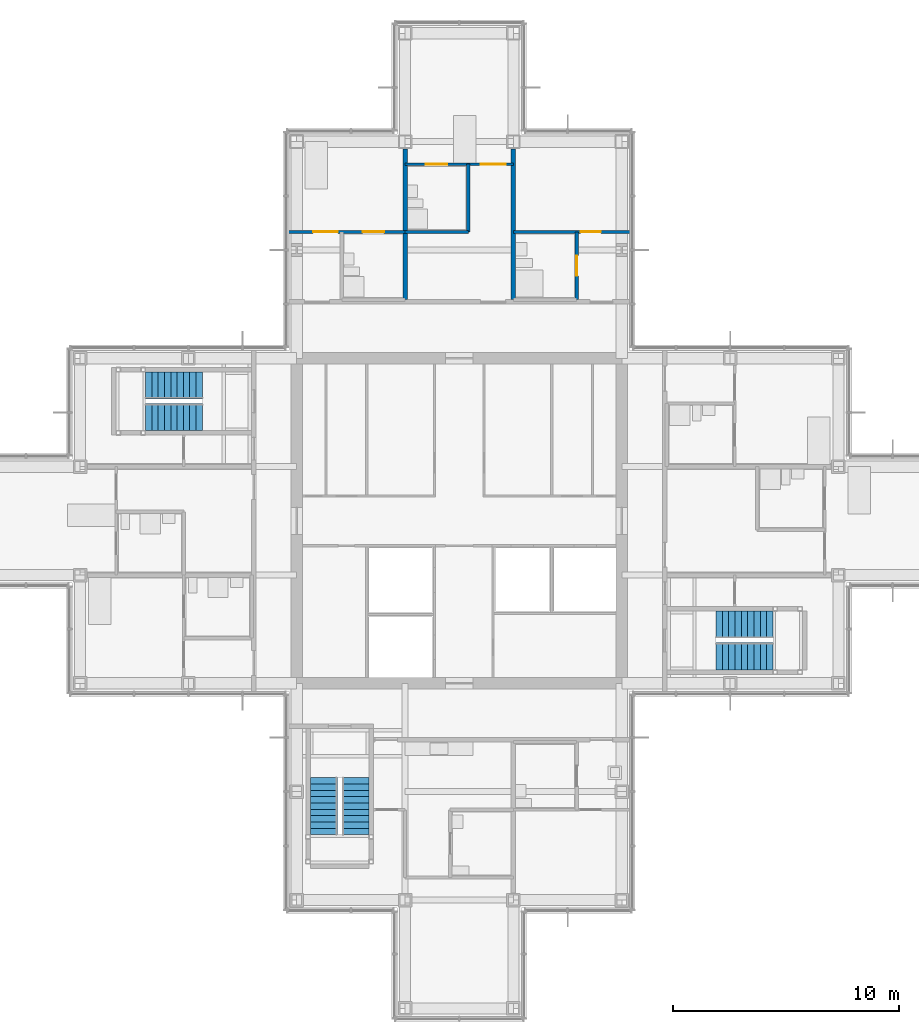
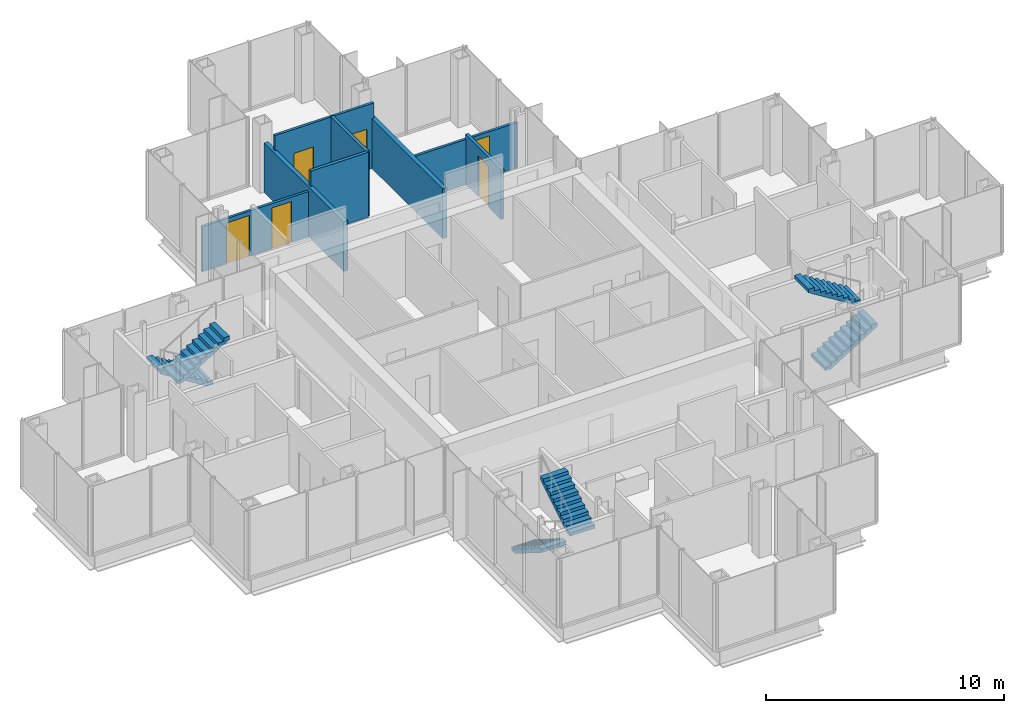
# One storey, part 14 of 17: 8 walls, 6 doors, 6 stair flights, 6 openings, 3 elements without a shape of their own.
"""IFC4 building model written with IfcOpenShell, lengths in metres."""

from ifc_helpers import new_model, si_unit, direction, frame, frame_2d, origin, place, context, subcontext, project, spatial, polyline, rectangle, outline, extrude, material, layer, layer_set, type_object, element, fill, aggregate, save


model = new_model("IFC4")

# Units and contexts
model_context = context("Model", 3, precision=1e-05, world=origin(), true_north=direction((0.0, 1.0)))
body_context = subcontext(model_context, "Body", "Model", "MODEL_VIEW")
ifc_project = project(units=[si_unit("LENGTHUNIT", "METRE"), si_unit("AREAUNIT", "SQUARE_METRE"), si_unit("VOLUMEUNIT", "CUBIC_METRE"), si_unit("PLANEANGLEUNIT", "RADIAN"), si_unit("MASSUNIT", "GRAM", prefix="KILO")], contexts=[model_context])

# Site, building, storey
site_placement = place(None, origin())
site = spatial("IfcSite", under=ifc_project, at=site_placement, CompositionType="ELEMENT")
building_placement = place(site_placement, origin())
building = spatial("IfcBuilding", under=site, at=building_placement, Name="Kvirike Care Tower", CompositionType="ELEMENT")
storey_placement = place(building_placement, frame((0.0, 0.0, 148.0)))
storey = spatial("IfcBuildingStorey", under=building, at=storey_placement, Name="L40", CompositionType="ELEMENT", Elevation=148.0)

# Wall, opening, door
ifc_material_1 = material(Name="Moisture-resistant board partition", Category="gypsum")
ifc_layer_1 = layer(ifc_material_1, 0.14990234375)
ifc_layer_set_1 = layer_set([ifc_layer_1], Name="BATHROOM WALL 150")
wall_type_1 = type_object("IfcWallType", Name="BATHROOM WALL 150", PredefinedType="PARTITIONING", material=ifc_layer_set_1)
wall_1_placement = place(storey_placement, frame((26.800048828125, 48.800048828125, 0.0), z_axis=(0.0, 0.0, 1.0), x_axis=(0.0, -1.0, 0.0)))
wall_1 = element("IfcWall", 1, at=wall_1_placement, inside=storey, type_object=wall_type_1, Name="Bathroom Wall 150 L40", PredefinedType="PARTITIONING", context=body_context, shape_type="SweptSolid", body=[
    extrude(rectangle(XDim=3.0, YDim=0.14990234375, at=frame_2d((1.5, 0.0))), origin(), (0.0, 0.0, 1.0), 2.550048828125),
])
opening_1_placement = place(wall_1_placement, frame((1.050048828125, 0.0, 0.0)))
opening_1 = element("IfcOpeningElement", 2, at=opening_1_placement, cuts=wall_1, Name="Opening 40-017", PredefinedType="OPENING", context=body_context, shape_type="SweptSolid", body=[
    extrude(rectangle(XDim=0.89990234375, YDim=2.10009765625, at=frame_2d((0.449951171875, 1.050048828125))), frame((0.0, 0.08544921875, 0.0), z_axis=(0.0, -1.0, 0.0), x_axis=(1.0, 0.0, 0.0)), (0.0, 0.0, 1.0), 0.1708984375),
])
ifc_material_2 = material(Name="Timber door set", Category="wood")
door_type_1 = type_object("IfcDoorType", Name="BATHROOM DOOR 900", OperationType="SINGLE_SWING_RIGHT", PredefinedType="DOOR", material=ifc_material_2)
door_1_placement = place(opening_1_placement, origin())
door_1 = element("IfcDoor", 3, at=door_1_placement, inside=storey, type_object=door_type_1, Name="Assisted bathroom door", OperationType="SINGLE_SWING_LEFT", OverallHeight=2.10009765625, OverallWidth=0.89990234375, PredefinedType="DOOR", context=body_context, shape_type="SweptSolid", body=[
    extrude(rectangle(XDim=0.89990234375, YDim=2.10009765625, at=frame_2d((0.449951171875, 1.050048828125))), frame((0.0, 0.02197265625, 0.0), z_axis=(0.0, -1.0, 0.0), x_axis=(1.0, 0.0, 0.0)), (0.0, 0.0, 1.0), 0.0439453125),
])
fill(opening_1, door_1)

# Walls
wall_2_placement = place(storey_placement, frame((22.0, 51.800048828125, 0.0), z_axis=(0.0, 0.0, 1.0), x_axis=(0.0, -1.0, 0.0)))
element("IfcWall", 4, at=wall_2_placement, inside=storey, type_object=wall_type_1, Name="Bathroom Wall 150 L40", PredefinedType="PARTITIONING", context=body_context, shape_type="SweptSolid", body=[
    extrude(rectangle(XDim=3.0, YDim=0.14990234375, at=frame_2d((1.5, 0.0))), origin(), (0.0, 0.0, 1.0), 3.330078125),
])
wall_3_placement = place(storey_placement, frame((22.0, 48.800048828125, 0.0), z_axis=(0.0, 0.0, 1.0), x_axis=(-1.0, 0.0, 0.0)))
element("IfcWall", 5, at=wall_3_placement, inside=storey, type_object=wall_type_1, Name="Bathroom Wall 150 L40", PredefinedType="PARTITIONING", context=body_context, shape_type="SweptSolid", body=[
    extrude(rectangle(XDim=2.800048828125, YDim=0.14990234375, at=frame_2d((1.39990234375, 0.0))), origin(), (0.0, 0.0, 1.0), 3.330078125),
])

# Wall, opening, door
ifc_material_3 = material(Name="Plasterboard partition", Category="gypsum")
ifc_layer_2 = layer(ifc_material_3, 0.1201171875)
ifc_layer_set_2 = layer_set([ifc_layer_2], Name="PARTITION 120")
wall_type_2 = type_object("IfcWallType", Name="PARTITION 120", PredefinedType="PARTITIONING", material=ifc_layer_set_2)
wall_4_placement = place(storey_placement, frame((29.25, 48.800048828125, 0.0), z_axis=(0.0, 0.0, 1.0), x_axis=(-1.0, 0.0, 0.0)))
wall_4 = element("IfcWall", 6, at=wall_4_placement, inside=storey, type_object=wall_type_2, Name="Partition 120 L40", PredefinedType="PARTITIONING", context=body_context, shape_type="SweptSolid", body=[
    extrude(rectangle(XDim=5.25, YDim=0.1201171875, at=frame_2d((2.625, 0.0))), origin(), (0.0, 0.0, 1.0), 2.320068359375),
])
opening_2_placement = place(wall_4_placement, frame((1.375, 0.0, 0.0)))
opening_2 = element("IfcOpeningElement", 7, at=opening_2_placement, cuts=wall_4, Name="Opening 40-018", PredefinedType="OPENING", context=body_context, shape_type="SweptSolid", body=[
    extrude(rectangle(XDim=0.89990234375, YDim=2.10009765625, at=frame_2d((0.449951171875, 1.050048828125))), frame((0.0, 0.070556640625, 0.0), z_axis=(0.0, -1.0, 0.0), x_axis=(1.0, 0.0, 0.0)), (0.0, 0.0, 1.0), 0.14111328125),
])
ifc_material_4 = material(Name="Timber door set", Category="wood")
door_type_2 = type_object("IfcDoorType", Name="INTERNAL DOOR 900", OperationType="SINGLE_SWING_LEFT", PredefinedType="DOOR", material=ifc_material_4)
door_2_placement = place(opening_2_placement, origin())
door_2 = element("IfcDoor", 8, at=door_2_placement, inside=storey, type_object=door_type_2, Name="Quiet room door", OperationType="SINGLE_SWING_LEFT", OverallHeight=2.10009765625, OverallWidth=0.89990234375, PredefinedType="DOOR", context=body_context, shape_type="SweptSolid", body=[
    extrude(rectangle(XDim=0.89990234375, YDim=2.10009765625, at=frame_2d((0.449951171875, 1.050048828125))), frame((0.0, 0.02197265625, 0.0), z_axis=(0.0, -1.0, 0.0), x_axis=(1.0, 0.0, 0.0)), (0.0, 0.0, 1.0), 0.0439453125),
])
fill(opening_2, door_2)

# Wall, openings, doors
wall_5_placement = place(storey_placement, frame((24.0, 51.800048828125, 0.0), z_axis=(0.0, 0.0, 1.0), x_axis=(-1.0, 0.0, 0.0)))
wall_5 = element("IfcWall", 9, at=wall_5_placement, inside=storey, type_object=wall_type_2, Name="Partition 120 L40", PredefinedType="PARTITIONING", context=body_context, shape_type="SweptSolid", body=[
    extrude(rectangle(XDim=4.800048828125, YDim=0.1201171875, at=frame_2d((2.39990234375, 0.0))), origin(), (0.0, 0.0, 1.0), 3.330078125),
])
opening_3_placement = place(wall_5_placement, frame((0.35009765625, 0.0, 0.0)))
opening_3 = element("IfcOpeningElement", 10, at=opening_3_placement, cuts=wall_5, Name="Opening 40-019", PredefinedType="OPENING", context=body_context, shape_type="SweptSolid", body=[
    extrude(rectangle(XDim=1.10009765625, YDim=2.10009765625, at=frame_2d((0.550048828125, 1.050048828125))), frame((0.0, 0.070556640625, 0.0), z_axis=(0.0, -1.0, 0.0), x_axis=(1.0, 0.0, 0.0)), (0.0, 0.0, 1.0), 0.14111328125),
])
opening_4_placement = place(wall_5_placement, frame((2.925048828125, 0.0, 0.0)))
opening_4 = element("IfcOpeningElement", 11, at=opening_4_placement, cuts=wall_5, Name="Opening 40-020", PredefinedType="OPENING", context=body_context, shape_type="SweptSolid", body=[
    extrude(rectangle(XDim=0.949951171875, YDim=2.10009765625, at=frame_2d((0.47509765625, 1.050048828125))), frame((0.0, 0.070556640625, 0.0), z_axis=(0.0, -1.0, 0.0), x_axis=(1.0, 0.0, 0.0)), (0.0, 0.0, 1.0), 0.14111328125),
])
ifc_material_5 = material(Name="Timber door set", Category="wood")
door_type_3 = type_object("IfcDoorType", Name="BEDROOM DOOR 1100", OperationType="SINGLE_SWING_LEFT", PredefinedType="DOOR", material=ifc_material_5)
door_3_placement = place(opening_3_placement, origin())
door_3 = element("IfcDoor", 12, at=door_3_placement, inside=storey, type_object=door_type_3, Name="Memory care bedroom door", OperationType="SINGLE_SWING_RIGHT", OverallHeight=2.10009765625, OverallWidth=1.10009765625, PredefinedType="DOOR", context=body_context, shape_type="SweptSolid", body=[
    extrude(rectangle(XDim=1.10009765625, YDim=2.10009765625, at=frame_2d((0.550048828125, 1.050048828125))), frame((0.0, 0.02197265625, 0.0), z_axis=(0.0, -1.0, 0.0), x_axis=(1.0, 0.0, 0.0)), (0.0, 0.0, 1.0), 0.0439453125),
])
fill(opening_3, door_3)
ifc_material_6 = material(Name="Timber door set", Category="wood")
door_type_4 = type_object("IfcDoorType", Name="EN-SUITE SLIDING DOOR 950", OperationType="SLIDING_TO_LEFT", PredefinedType="DOOR", material=ifc_material_6)
door_4_placement = place(opening_4_placement, origin())
door_4 = element("IfcDoor", 13, at=door_4_placement, inside=storey, type_object=door_type_4, Name="En-suite door", OperationType="SLIDING_TO_RIGHT", OverallHeight=2.10009765625, OverallWidth=0.949951171875, PredefinedType="DOOR", context=body_context, shape_type="SweptSolid", body=[
    extrude(rectangle(XDim=0.949951171875, YDim=2.10009765625, at=frame_2d((0.47509765625, 1.050048828125))), frame((0.0, 0.02197265625, 0.0), z_axis=(0.0, -1.0, 0.0), x_axis=(1.0, 0.0, 0.0)), (0.0, 0.0, 1.0), 0.0439453125),
])
fill(opening_4, door_4)

wall_6_placement = place(storey_placement, frame((19.199951171875, 48.800048828125, 0.0), z_axis=(0.0, 0.0, 1.0), x_axis=(-1.0, 0.0, 0.0)))
wall_6 = element("IfcWall", 14, at=wall_6_placement, inside=storey, type_object=wall_type_2, Name="Partition 120 L40", PredefinedType="PARTITIONING", context=body_context, shape_type="SweptSolid", body=[
    extrude(rectangle(XDim=5.25, YDim=0.1201171875, at=frame_2d((2.625, 0.0))), origin(), (0.0, 0.0, 1.0), 2.320068359375),
])
opening_5_placement = place(wall_6_placement, frame((2.97509765625, 0.0, 0.0)))
opening_5 = element("IfcOpeningElement", 15, at=opening_5_placement, cuts=wall_6, Name="Opening 40-021", PredefinedType="OPENING", context=body_context, shape_type="SweptSolid", body=[
    extrude(rectangle(XDim=1.10009765625, YDim=2.10009765625, at=frame_2d((0.550048828125, 1.050048828125))), frame((0.0, 0.070556640625, 0.0), z_axis=(0.0, -1.0, 0.0), x_axis=(1.0, 0.0, 0.0)), (0.0, 0.0, 1.0), 0.14111328125),
])
opening_6_placement = place(wall_6_placement, frame((0.925048828125, 0.0, 0.0)))
opening_6 = element("IfcOpeningElement", 16, at=opening_6_placement, cuts=wall_6, Name="Opening 40-022", PredefinedType="OPENING", context=body_context, shape_type="SweptSolid", body=[
    extrude(rectangle(XDim=0.949951171875, YDim=2.10009765625, at=frame_2d((0.47509765625, 1.050048828125))), frame((0.0, 0.070556640625, 0.0), z_axis=(0.0, -1.0, 0.0), x_axis=(1.0, 0.0, 0.0)), (0.0, 0.0, 1.0), 0.14111328125),
])
door_5_placement = place(opening_5_placement, origin())
door_5 = element("IfcDoor", 17, at=door_5_placement, inside=storey, type_object=door_type_3, Name="Memory care bedroom door", OperationType="SINGLE_SWING_RIGHT", OverallHeight=2.10009765625, OverallWidth=1.10009765625, PredefinedType="DOOR", context=body_context, shape_type="SweptSolid", body=[
    extrude(rectangle(XDim=1.10009765625, YDim=2.10009765625, at=frame_2d((0.550048828125, 1.050048828125))), frame((0.0, 0.02197265625, 0.0), z_axis=(0.0, -1.0, 0.0), x_axis=(1.0, 0.0, 0.0)), (0.0, 0.0, 1.0), 0.0439453125),
])
fill(opening_5, door_5)
door_6_placement = place(opening_6_placement, origin())
door_6 = element("IfcDoor", 18, at=door_6_placement, inside=storey, type_object=door_type_4, Name="En-suite door", OperationType="SLIDING_TO_RIGHT", OverallHeight=2.10009765625, OverallWidth=0.949951171875, PredefinedType="DOOR", context=body_context, shape_type="SweptSolid", body=[
    extrude(rectangle(XDim=0.949951171875, YDim=2.10009765625, at=frame_2d((0.47509765625, 1.050048828125))), frame((0.0, 0.02197265625, 0.0), z_axis=(0.0, -1.0, 0.0), x_axis=(1.0, 0.0, 0.0)), (0.0, 0.0, 1.0), 0.0439453125),
])
fill(opening_6, door_6)

# Walls
ifc_material_7 = material(Name="Plasterboard party wall", Category="gypsum")
ifc_layer_3 = layer(ifc_material_7, 0.199951171875)
ifc_layer_set_3 = layer_set([ifc_layer_3], Name="PARTY WALL 200")
wall_type_3 = type_object("IfcWallType", Name="PARTY WALL 200", PredefinedType="PARTITIONING", material=ifc_layer_set_3)
for number, where, z_axis, x_axis, name in (
    (19, (24.0, 52.47998046875, 0.0), (0.0, 0.0, 1.0), (0.0, -1.0, 0.0), "Party Wall 200 L40"),
    (20, (19.199951171875, 52.47998046875, 0.0), (0.0, 0.0, 1.0), (0.0, -1.0, 0.0), "Party Wall 200 L40"),
):
    element("IfcWall", number, at=place(storey_placement, frame(where, z_axis=z_axis, x_axis=x_axis)), inside=storey, type_object=wall_type_3, Name=name, PredefinedType="PARTITIONING", context=body_context, shape_type="SweptSolid", body=[
        extrude(rectangle(XDim=6.679931640625, YDim=0.199951171875, at=frame_2d((3.33984375, 0.0))), origin(), (0.0, 0.0, 1.0), 2.550048828125),
    ])

# Stair, stair flights
ifc_material_8 = material(Name="Concrete C35/45", Category="concrete")
stair_type = type_object("IfcStairType", Name="STAIR 20 RISERS", PredefinedType="HALF_TURN_STAIR", material=ifc_material_8)
stair_1_placement = place(storey_placement, origin())
stair_1 = element("IfcStair", 21, at=stair_1_placement, inside=storey, type_object=stair_type, Name="Stair 1 L40", PredefinedType="HALF_TURN_STAIR")
ifc_material_9 = material(Name="Concrete C35/45", Category="concrete")
stair_flight_type = type_object("IfcStairFlightType", Name="FLIGHT 10 RISERS", PredefinedType="STRAIGHT", material=ifc_material_9)
stair_flight_1_placement = place(storey_placement, frame((10.219970703125, 42.0, 0.0), z_axis=(0.0, 0.0, 1.0), x_axis=(-1.0, 0.0, 0.0)))
stair_flight_1 = element("IfcStairFlight", 22, at=stair_flight_1_placement, type_object=stair_flight_type, Name="Stair S1 flight 1 L40-L41", NumberOfRisers=10, NumberOfTreads=9, PredefinedType="STRAIGHT", RiserHeight=0.175, TreadLength=0.28, context=body_context, shape_type="SweptSolid", body=[
    extrude(outline(polyline([(0.0, 0.0), (0.0, 0.175048828125), (0.280029296875, 0.175048828125), (0.280029296875, 0.35009765625), (0.56005859375, 0.35009765625), (0.56005859375, 0.52490234375), (0.840087890625, 0.52490234375), (0.840087890625, 0.699951171875), (1.1201171875, 0.699951171875), (1.1201171875, 0.875), (1.39990234375, 0.875), (1.39990234375, 1.050048828125), (1.679931640625, 1.050048828125), (1.679931640625, 1.22509765625), (1.9599609375, 1.22509765625), (1.9599609375, 1.39990234375), (2.239990234375, 1.39990234375), (2.239990234375, 1.574951171875), (2.52001953125, 1.574951171875), (2.52001953125, 1.75), (2.52001953125, 1.398193359375), (0.28271484375, 0.0), (0.0, 0.0)])), frame((0.0, 0.60009765625, 0.0), z_axis=(0.0, -1.0, 0.0), x_axis=(1.0, 0.0, 0.0)), (0.0, 0.0, 1.0), 1.199951171875),
])
stair_flight_2_placement = place(storey_placement, frame((7.699951171875, 40.60009765625, 1.75), z_axis=(0.0, 0.0, 1.0), x_axis=(1.0, 0.0, 0.0)))
stair_flight_2 = element("IfcStairFlight", 23, at=stair_flight_2_placement, type_object=stair_flight_type, Name="Stair S1 flight 2 L40-L41", NumberOfRisers=10, NumberOfTreads=9, PredefinedType="STRAIGHT", RiserHeight=0.175, TreadLength=0.28, context=body_context, shape_type="SweptSolid", body=[
    extrude(outline(polyline([(0.0, 0.0), (0.0, 0.175048828125), (0.280029296875, 0.175048828125), (0.280029296875, 0.35009765625), (0.56005859375, 0.35009765625), (0.56005859375, 0.52490234375), (0.840087890625, 0.52490234375), (0.840087890625, 0.699951171875), (1.1201171875, 0.699951171875), (1.1201171875, 0.875), (1.39990234375, 0.875), (1.39990234375, 1.050048828125), (1.679931640625, 1.050048828125), (1.679931640625, 1.22509765625), (1.9599609375, 1.22509765625), (1.9599609375, 1.39990234375), (2.239990234375, 1.39990234375), (2.239990234375, 1.574951171875), (2.52001953125, 1.574951171875), (2.52001953125, 1.75), (2.52001953125, 1.398193359375), (0.28271484375, 0.0), (0.0, 0.0)])), frame((0.0, 0.60009765625, 0.0), z_axis=(0.0, -1.0, 0.0), x_axis=(1.0, 0.0, 0.0)), (0.0, 0.0, 1.0), 1.199951171875),
])
aggregate(stair_1, [stair_flight_1, stair_flight_2])

stair_2_placement = place(storey_placement, origin())
stair_2 = element("IfcStair", 24, at=stair_2_placement, inside=storey, type_object=stair_type, Name="Stair 2 L40", PredefinedType="HALF_TURN_STAIR")
stair_flight_3_placement = place(storey_placement, frame((32.97998046875, 30.0, 0.0), z_axis=(0.0, 0.0, 1.0), x_axis=(1.0, 0.0, 0.0)))
stair_flight_3 = element("IfcStairFlight", 25, at=stair_flight_3_placement, type_object=stair_flight_type, Name="Stair S2 flight 1 L40-L41", NumberOfRisers=10, NumberOfTreads=9, PredefinedType="STRAIGHT", RiserHeight=0.175, TreadLength=0.28, context=body_context, shape_type="SweptSolid", body=[
    extrude(outline(polyline([(0.0, 0.0), (0.0, 0.175048828125), (0.280029296875, 0.175048828125), (0.280029296875, 0.35009765625), (0.56005859375, 0.35009765625), (0.56005859375, 0.52490234375), (0.840087890625, 0.52490234375), (0.840087890625, 0.699951171875), (1.1201171875, 0.699951171875), (1.1201171875, 0.875), (1.39990234375, 0.875), (1.39990234375, 1.050048828125), (1.679931640625, 1.050048828125), (1.679931640625, 1.22509765625), (1.9599609375, 1.22509765625), (1.9599609375, 1.39990234375), (2.239990234375, 1.39990234375), (2.239990234375, 1.574951171875), (2.52001953125, 1.574951171875), (2.52001953125, 1.75), (2.52001953125, 1.398193359375), (0.28271484375, 0.0), (0.0, 0.0)])), frame((0.0, 0.60009765625, 0.0), z_axis=(0.0, -1.0, 0.0), x_axis=(1.0, 0.0, 0.0)), (0.0, 0.0, 1.0), 1.199951171875),
])
stair_flight_4_placement = place(storey_placement, frame((35.5, 31.39990234375, 1.75), z_axis=(0.0, 0.0, 1.0), x_axis=(-1.0, 0.0, 0.0)))
stair_flight_4 = element("IfcStairFlight", 26, at=stair_flight_4_placement, type_object=stair_flight_type, Name="Stair S2 flight 2 L40-L41", NumberOfRisers=10, NumberOfTreads=9, PredefinedType="STRAIGHT", RiserHeight=0.175, TreadLength=0.28, context=body_context, shape_type="SweptSolid", body=[
    extrude(outline(polyline([(0.0, 0.0), (0.0, 0.175048828125), (0.280029296875, 0.175048828125), (0.280029296875, 0.35009765625), (0.56005859375, 0.35009765625), (0.56005859375, 0.52490234375), (0.840087890625, 0.52490234375), (0.840087890625, 0.699951171875), (1.1201171875, 0.699951171875), (1.1201171875, 0.875), (1.39990234375, 0.875), (1.39990234375, 1.050048828125), (1.679931640625, 1.050048828125), (1.679931640625, 1.22509765625), (1.9599609375, 1.22509765625), (1.9599609375, 1.39990234375), (2.239990234375, 1.39990234375), (2.239990234375, 1.574951171875), (2.52001953125, 1.574951171875), (2.52001953125, 1.75), (2.52001953125, 1.398193359375), (0.28271484375, 0.0), (0.0, 0.0)])), frame((0.0, 0.60009765625, 0.0), z_axis=(0.0, -1.0, 0.0), x_axis=(1.0, 0.0, 0.0)), (0.0, 0.0, 1.0), 1.199951171875),
])
aggregate(stair_2, [stair_flight_3, stair_flight_4])

stair_3_placement = place(storey_placement, origin())
stair_3 = element("IfcStair", 27, at=stair_3_placement, inside=storey, type_object=stair_type, Name="Stair 5 L40", PredefinedType="HALF_TURN_STAIR")
stair_flight_5_placement = place(storey_placement, frame((15.60009765625, 24.6201171875, 0.0), z_axis=(0.0, 0.0, 1.0), x_axis=(0.0, -1.0, 0.0)))
stair_flight_5 = element("IfcStairFlight", 28, at=stair_flight_5_placement, type_object=stair_flight_type, Name="Stair S5 flight 1 L40-L41", NumberOfRisers=10, NumberOfTreads=9, PredefinedType="STRAIGHT", RiserHeight=0.175, TreadLength=0.28, context=body_context, shape_type="SweptSolid", body=[
    extrude(outline(polyline([(0.0, 0.0), (0.0, 0.175048828125), (0.280029296875, 0.175048828125), (0.280029296875, 0.35009765625), (0.56005859375, 0.35009765625), (0.56005859375, 0.52490234375), (0.840087890625, 0.52490234375), (0.840087890625, 0.699951171875), (1.1201171875, 0.699951171875), (1.1201171875, 0.875), (1.39990234375, 0.875), (1.39990234375, 1.050048828125), (1.679931640625, 1.050048828125), (1.679931640625, 1.22509765625), (1.9599609375, 1.22509765625), (1.9599609375, 1.39990234375), (2.239990234375, 1.39990234375), (2.239990234375, 1.574951171875), (2.52001953125, 1.574951171875), (2.52001953125, 1.75), (2.52001953125, 1.398193359375), (0.28271484375, 0.0), (0.0, 0.0)])), frame((0.0, 0.60009765625, 0.0), z_axis=(0.0, -1.0, 0.0), x_axis=(1.0, 0.0, 0.0)), (0.0, 0.0, 1.0), 1.199951171875),
])
stair_flight_6_placement = place(storey_placement, frame((17.0, 22.10009765625, 1.75), z_axis=(0.0, 0.0, 1.0), x_axis=(0.0, 1.0, 0.0)))
stair_flight_6 = element("IfcStairFlight", 29, at=stair_flight_6_placement, type_object=stair_flight_type, Name="Stair S5 flight 2 L40-L41", NumberOfRisers=10, NumberOfTreads=9, PredefinedType="STRAIGHT", RiserHeight=0.175, TreadLength=0.28, context=body_context, shape_type="SweptSolid", body=[
    extrude(outline(polyline([(0.0, 0.0), (0.0, 0.175048828125), (0.280029296875, 0.175048828125), (0.280029296875, 0.35009765625), (0.56005859375, 0.35009765625), (0.56005859375, 0.52490234375), (0.840087890625, 0.52490234375), (0.840087890625, 0.699951171875), (1.1201171875, 0.699951171875), (1.1201171875, 0.875), (1.39990234375, 0.875), (1.39990234375, 1.050048828125), (1.679931640625, 1.050048828125), (1.679931640625, 1.22509765625), (1.9599609375, 1.22509765625), (1.9599609375, 1.39990234375), (2.239990234375, 1.39990234375), (2.239990234375, 1.574951171875), (2.52001953125, 1.574951171875), (2.52001953125, 1.75), (2.52001953125, 1.398193359375), (0.28271484375, 0.0), (0.0, 0.0)])), frame((0.0, 0.60009765625, 0.0), z_axis=(0.0, -1.0, 0.0), x_axis=(1.0, 0.0, 0.0)), (0.0, 0.0, 1.0), 1.199951171875),
])
aggregate(stair_3, [stair_flight_5, stair_flight_6])

save(model, "model.ifc")
